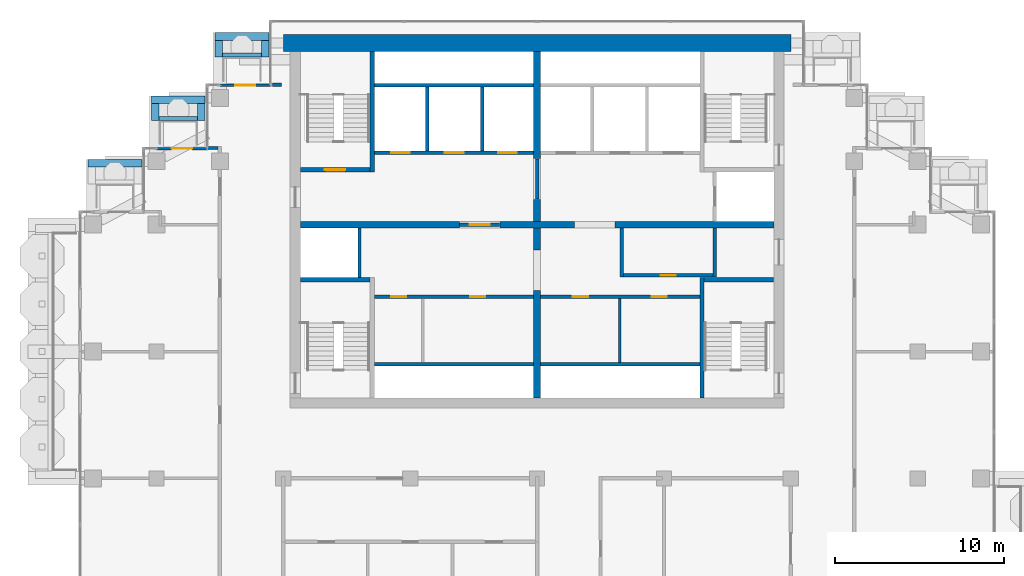
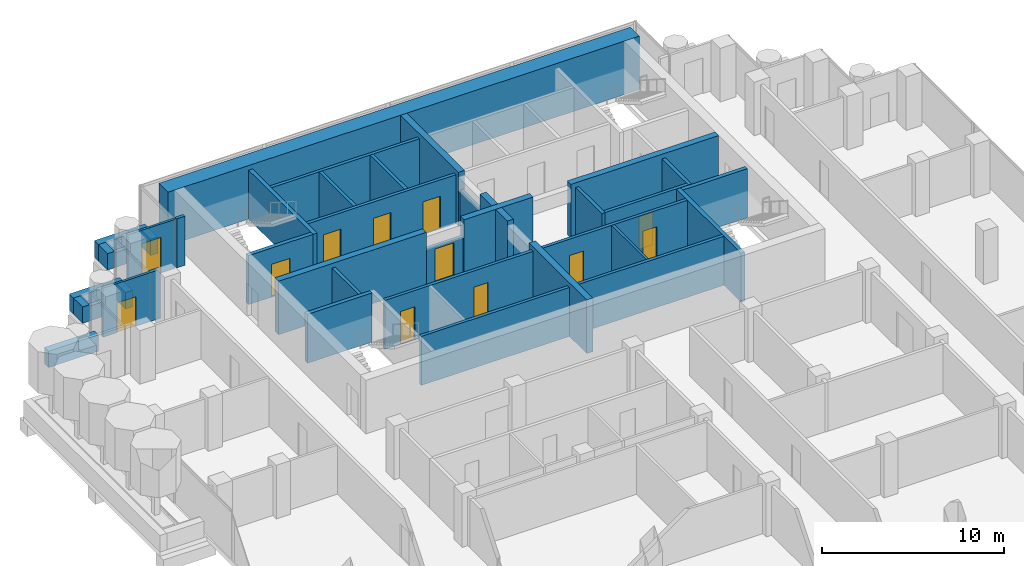
# One storey, part 13 of 18: 41 walls, 12 doors, 12 openings.
"""IFC4 building model written with IfcOpenShell, lengths in metres."""

import ifcopenshell
import ifcopenshell.guid

model = None  # the IFC model being written
_history = None  # IfcOwnerHistory: only IFC2X3 demands one
_inside = {}  # id of a spatial element -> (the spatial element, [elements in it])
_under = {}  # id of a project, library or spatial element -> (it, [spatial elements below it])
_declared = {}  # id of a project -> (the project, [libraries it declares])
_typed = {}  # id of a type object -> (the type object, [elements of that type])
_made_of = {}  # id of a material, layer set ... -> (it, [elements and type objects made of it])


def new_model(schema):
    """Start an empty IFC model of exactly this schema.

    Asked for "IFC4X3", IfcOpenShell would pick the latest addendum, in which some entities
    have other attributes; the version numbers below select the first issue.
    IFC2X3 requires an IfcOwnerHistory on every rooted entity: one is made here for all.
    """
    global model, _history
    if schema == "IFC4X3":
        model = ifcopenshell.file(schema_version=(4, 3, 0, 0))
    else:
        model = ifcopenshell.file(schema=schema)
    _inside.clear()
    _under.clear()
    _declared.clear()
    _typed.clear()
    _made_of.clear()
    _history = None
    if model.schema == "IFC2X3":
        org = make("IfcOrganization", Name="unknown")
        user = make(
            "IfcPersonAndOrganization",
            ThePerson=make("IfcPerson", FamilyName="unknown"),
            TheOrganization=org,
        )
        app = make(
            "IfcApplication",
            ApplicationDeveloper=org,
            Version="unknown",
            ApplicationFullName="unknown",
            ApplicationIdentifier="unknown",
        )
        _history = make(
            "IfcOwnerHistory",
            OwningUser=user,
            OwningApplication=app,
            ChangeAction="ADDED",
            CreationDate=0,
        )
    return model


def make(cls, **values):
    """One entity of the class cls with the attributes given. An attribute that is None is left unset."""
    return model.create_entity(
        cls, **{name: value for name, value in values.items() if value is not None}
    )


def rooted(cls, **values):
    """An entity with a GlobalId (a new one), such as an element, a storey or a relation."""
    return make(cls, GlobalId=ifcopenshell.guid.new(), OwnerHistory=_history, **values)


def si_unit(unit_type, name, prefix=None):
    """IfcSIUnit, for example si_unit("LENGTHUNIT", "METRE", prefix="MILLI")."""
    return make("IfcSIUnit", UnitType=unit_type, Prefix=prefix, Name=name)


def assignment(units):
    """IfcUnitAssignment: the units of a project."""
    return None if units is None else make("IfcUnitAssignment", Units=units)


def point(xyz):
    """IfcCartesianPoint."""
    return None if xyz is None else make("IfcCartesianPoint", Coordinates=xyz)


def direction(xyz):
    """IfcDirection."""
    return None if xyz is None else make("IfcDirection", DirectionRatios=xyz)


def frame(location, z_axis=None, x_axis=None):
    """IfcAxis2Placement3D, a coordinate frame: its origin and axes. An axis left out is left unset."""
    return make(
        "IfcAxis2Placement3D",
        Location=point(location),
        Axis=direction(z_axis),
        RefDirection=direction(x_axis),
    )


def frame_2d(location, x_axis=None):
    """IfcAxis2Placement2D, a coordinate frame in the plane: its origin and x axis."""
    return make(
        "IfcAxis2Placement2D", Location=point(location), RefDirection=direction(x_axis)
    )


def origin():
    """The frame at (0, 0, 0) with its axes left unset."""
    return frame((0.0, 0.0, 0.0))


def place(relative_to, where):
    """IfcLocalPlacement: puts the frame where relative to a parent placement (None: the world)."""
    return make(
        "IfcLocalPlacement", PlacementRelTo=relative_to, RelativePlacement=where
    )


def context(
    kind, dimensions, precision=None, world=None, true_north=None, identifier=None
):
    """IfcGeometricRepresentationContext, for example the 3D "Model" context."""
    return make(
        "IfcGeometricRepresentationContext",
        ContextIdentifier=identifier,
        ContextType=kind,
        CoordinateSpaceDimension=dimensions,
        Precision=precision,
        WorldCoordinateSystem=world,
        TrueNorth=true_north,
    )


def subcontext(parent, identifier, kind, view, scale=None):
    """IfcGeometricRepresentationSubContext, for example "Body" below "Model"."""
    return make(
        "IfcGeometricRepresentationSubContext",
        ContextIdentifier=identifier,
        ContextType=kind,
        ParentContext=parent,
        TargetScale=scale,
        TargetView=view,
    )


def project(units=None, contexts=None):
    """IfcProject with its units and contexts."""
    return rooted(
        "IfcProject",
        Name="project",
        RepresentationContexts=contexts,
        UnitsInContext=assignment(units),
    )


def spatial(cls, under=None, at=None, **own):
    """A site, building, storey or space (cls), placed at a placement, below another one or the project."""
    s = rooted(cls, ObjectPlacement=at, **own)
    if under is not None:
        _under.setdefault(under.id(), (under, []))[1].append(s)
    return s


def profile(cls, at=None, kind="AREA", **sizes):
    """A parametric profile (cls). Its sizes go by their IFC names, for example OverallWidth=200.0."""
    return make(cls, ProfileType=kind, Position=at, **sizes)


def rectangle(**sizes):
    """IfcRectangleProfileDef."""
    return profile("IfcRectangleProfileDef", **sizes)


def extrude(swept, where, along, depth):
    """IfcExtrudedAreaSolid: the profile swept, set in the frame where, extruded along a direction by depth."""
    return make(
        "IfcExtrudedAreaSolid",
        SweptArea=swept,
        Position=where,
        ExtrudedDirection=direction(along),
        Depth=depth,
    )


def shape(context_of_items, identifier, shape_type, items):
    """IfcShapeRepresentation: the items that make up one representation, for example the "Body"."""
    return make(
        "IfcShapeRepresentation",
        ContextOfItems=context_of_items,
        RepresentationIdentifier=identifier,
        RepresentationType=shape_type,
        Items=items,
    )


def material(Name=None, Category=None):
    """IfcMaterial."""
    return make("IfcMaterial", Name=Name, Category=Category)


def layer(
    of_material, thickness, ventilated=None, Name=None, Category=None, Priority=None
):
    """IfcMaterialLayer: one layer of a wall or slab, of a material (None: an air gap)."""
    return make(
        "IfcMaterialLayer",
        Material=of_material,
        LayerThickness=thickness,
        IsVentilated=ventilated,
        Name=Name,
        Category=Category,
        Priority=Priority,
    )


def layer_set(layers, Name=None):
    """IfcMaterialLayerSet."""
    return make("IfcMaterialLayerSet", MaterialLayers=layers, LayerSetName=Name)


def made_of(thing, what):
    """Note that an element or type object is made of a material, layer set ...; save() writes the relation."""
    if what is not None:
        _made_of.setdefault(what.id(), (what, []))[1].append(thing)
    return thing


def type_object(cls, material=None, **own):
    """A type object (cls), such as IfcWallType, which elements share."""
    return made_of(rooted(cls, **own), material)


def element(
    cls,
    number,
    at=None,
    inside=None,
    cuts=None,
    type_object=None,
    material=None,
    context=None,
    identifier="Body",
    shape_type=None,
    held_by="IfcProductDefinitionShape",
    body=None,
    shapes=None,
    **own,
):
    """One element of the class cls, such as IfcWall. Its Tag is "e" and its number.

    at: its placement. inside: the storey or other place that contains it. cuts: it is an
    opening in that element (IfcRelVoidsElement). A single representation is given by context,
    identifier, shape_type and body (its items); several are given by shapes. held_by: the class
    of the entity that holds the representations. save() writes the other relations.
    """
    e = rooted(cls, Tag="e%d" % number, ObjectPlacement=at, **own)
    if body is not None:
        shapes = [shape(context, identifier, shape_type, body)]
    if shapes is not None:
        e.Representation = make(held_by, Representations=shapes)
    if inside is not None:
        _inside.setdefault(inside.id(), (inside, []))[1].append(e)
    if cuts is not None:
        rooted(
            "IfcRelVoidsElement", RelatingBuildingElement=cuts, RelatedOpeningElement=e
        )
    if type_object is not None:
        _typed.setdefault(type_object.id(), (type_object, []))[1].append(e)
    return made_of(e, material)


def fill(opening, filler):
    """IfcRelFillsElement: the door or window that sits in an opening."""
    return rooted(
        "IfcRelFillsElement",
        RelatingOpeningElement=opening,
        RelatedBuildingElement=filler,
    )


def aggregate(whole, parts):
    """IfcRelAggregates: a whole, such as a stair, and the parts it consists of."""
    return rooted("IfcRelAggregates", RelatingObject=whole, RelatedObjects=parts)


def save(model, path):
    """Write the relations noted so far, then the file.

    IfcRelAggregates (storeys below a building ...), IfcRelContainedInSpatialStructure (elements
    in a storey), IfcRelDefinesByType, IfcRelAssociatesMaterial and IfcRelDeclares: one each for
    every whole, place, type object, material and project.
    """
    for whole, parts in _under.values():
        aggregate(whole, parts)
    for where, things in _inside.values():
        rooted(
            "IfcRelContainedInSpatialStructure",
            RelatedElements=things,
            RelatingStructure=where,
        )
    for kind, things in _typed.values():
        rooted("IfcRelDefinesByType", RelatedObjects=things, RelatingType=kind)
    for what, things in _made_of.values():
        rooted("IfcRelAssociatesMaterial", RelatedObjects=things, RelatingMaterial=what)
    for by, libraries in _declared.values():
        rooted("IfcRelDeclares", RelatingContext=by, RelatedDefinitions=libraries)
    model.write(path)


model = new_model("IFC4")

# Units and contexts
model_context = context("Model", 3, precision=1e-05, world=origin(), true_north=direction((0.0, 1.0)))
body_context = subcontext(model_context, "Body", "Model", "MODEL_VIEW")
ifc_project = project(units=[si_unit("LENGTHUNIT", "METRE"), si_unit("AREAUNIT", "SQUARE_METRE"), si_unit("VOLUMEUNIT", "CUBIC_METRE"), si_unit("PLANEANGLEUNIT", "RADIAN"), si_unit("MASSUNIT", "GRAM", prefix="KILO")], contexts=[model_context])

# Site, building, storey
site_placement = place(None, origin())
site = spatial("IfcSite", under=ifc_project, at=site_placement, CompositionType="ELEMENT")
building_placement = place(site_placement, origin())
building = spatial("IfcBuilding", under=site, at=building_placement, Name="Pilkhan Gate Tower", CompositionType="ELEMENT")
storey_placement = place(building_placement, frame((0.0, 0.0, 199.5)))
storey = spatial("IfcBuildingStorey", under=building, at=storey_placement, Name="L51", CompositionType="ELEMENT", Elevation=199.5)

# Walls
ifc_material_1 = material(Name="Concrete C40/50", Category="concrete")
ifc_layer_1 = layer(ifc_material_1, 0.25)
ifc_layer_set_1 = layer_set([ifc_layer_1], Name="Balcony planter BP250")
wall_type_1 = type_object("IfcWallType", Name="Balcony planter BP250", PredefinedType="USERDEFINED", material=ifc_layer_set_1)
wall_1_placement = place(storey_placement, frame((56.39990234375, 92.52490234375, 0.0), z_axis=(0.0, 0.0, 1.0), x_axis=(1.0, 0.0, 0.0)))
element("IfcWall", 1, at=wall_1_placement, inside=storey, type_object=wall_type_1, Name="Balcony planter L51 N", ObjectType="BALCONY PLANTER", PredefinedType="USERDEFINED", context=body_context, shape_type="SweptSolid", body=[
    extrude(rectangle(XDim=2.300048828125, YDim=0.25, at=frame_2d((1.14990234375, 0.0))), origin(), (0.0, 0.0, 1.0), 1.0),
])
wall_2_placement = place(storey_placement, frame((52.64990234375, 88.77490234375, 0.0), z_axis=(0.0, 0.0, 1.0), x_axis=(1.0, 0.0, 0.0)))
element("IfcWall", 2, at=wall_2_placement, inside=storey, type_object=wall_type_1, Name="Balcony planter L51 N", ObjectType="BALCONY PLANTER", PredefinedType="USERDEFINED", context=body_context, shape_type="SweptSolid", body=[
    extrude(rectangle(XDim=2.280029296875, YDim=0.25, at=frame_2d((1.14013671875, 0.0))), origin(), (0.0, 0.0, 1.0), 1.0),
])
ifc_material_2 = material(Name="Board-marked Concrete C40/50", Category="concrete")
ifc_layer_2 = layer(ifc_material_2, 0.449951171875)
ifc_layer_set_2 = layer_set([ifc_layer_2], Name="Balcony planter lip BL450")
wall_type_2 = type_object("IfcWallType", Name="Balcony planter lip BL450", PredefinedType="USERDEFINED", material=ifc_layer_set_2)
wall_3_placement = place(storey_placement, frame((55.949951171875, 93.625, 0.0), z_axis=(0.0, 0.0, 1.0), x_axis=(1.0, 0.0, 0.0)))
element("IfcWall", 3, at=wall_3_placement, inside=storey, type_object=wall_type_2, Name="Balcony planter L51 N", ObjectType="BALCONY PLANTER", PredefinedType="USERDEFINED", context=body_context, shape_type="SweptSolid", body=[
    extrude(rectangle(XDim=3.199951171875, YDim=0.449951171875, at=frame_2d((1.60009765625, 0.0))), origin(), (0.0, 0.0, 1.0), 1.10009765625),
])
for number, where, z_axis, x_axis, name in (
    (4, (56.175048828125, 92.39990234375, 0.0), (0.0, 0.0, 1.0), (0.0, 1.0, 0.0), "Balcony planter L51 N"),
    (5, (58.925048828125, 92.39990234375, 0.0), (0.0, 0.0, 1.0), (0.0, 1.0, 0.0), "Balcony planter L51 N"),
):
    element("IfcWall", number, at=place(storey_placement, frame(where, z_axis=z_axis, x_axis=x_axis)), inside=storey, type_object=wall_type_2, Name=name, ObjectType="BALCONY PLANTER", PredefinedType="USERDEFINED", context=body_context, shape_type="SweptSolid", body=[
        extrude(rectangle(XDim=1.0, YDim=0.449951171875, at=frame_2d((0.5, 0.0))), origin(), (0.0, 0.0, 1.0), 1.10009765625),
    ])
wall_4_placement = place(storey_placement, frame((52.199951171875, 89.875, 0.0), z_axis=(0.0, 0.0, 1.0), x_axis=(1.0, 0.0, 0.0)))
element("IfcWall", 6, at=wall_4_placement, inside=storey, type_object=wall_type_2, Name="Balcony planter L51 N", ObjectType="BALCONY PLANTER", PredefinedType="USERDEFINED", context=body_context, shape_type="SweptSolid", body=[
    extrude(rectangle(XDim=3.179931640625, YDim=0.449951171875, at=frame_2d((1.58984375, 0.0))), origin(), (0.0, 0.0, 1.0), 1.10009765625),
])
for number, where, z_axis, x_axis, name in (
    (7, (52.425048828125, 88.64990234375, 0.0), (0.0, 0.0, 1.0), (0.0, 1.0, 0.0), "Balcony planter L51 N"),
    (8, (55.155029296875, 88.64990234375, 0.0), (0.0, 0.0, 1.0), (0.0, 1.0, 0.0), "Balcony planter L51 N"),
):
    element("IfcWall", number, at=place(storey_placement, frame(where, z_axis=z_axis, x_axis=x_axis)), inside=storey, type_object=wall_type_2, Name=name, ObjectType="BALCONY PLANTER", PredefinedType="USERDEFINED", context=body_context, shape_type="SweptSolid", body=[
        extrude(rectangle(XDim=1.0, YDim=0.449951171875, at=frame_2d((0.5, 0.0))), origin(), (0.0, 0.0, 1.0), 1.10009765625),
    ])
wall_5_placement = place(storey_placement, frame((48.449951171875, 86.125, 0.0), z_axis=(0.0, 0.0, 1.0), x_axis=(1.0, 0.0, 0.0)))
element("IfcWall", 9, at=wall_5_placement, inside=storey, type_object=wall_type_2, Name="Balcony planter L51 N", ObjectType="BALCONY PLANTER", PredefinedType="USERDEFINED", context=body_context, shape_type="SweptSolid", body=[
    extrude(rectangle(XDim=3.179931640625, YDim=0.449951171875, at=frame_2d((1.58984375, 0.0))), origin(), (0.0, 0.0, 1.0), 1.10009765625),
])
ifc_material_3 = material(Name="Concrete C50/60", Category="concrete")
ifc_layer_3 = layer(ifc_material_3, 1.0)
ifc_layer_set_3 = layer_set([ifc_layer_3], Name="Core wall CW1000 C50/60")
wall_type_3 = type_object("IfcWallType", Name="Core wall CW1000 C50/60", PredefinedType="SHEAR", material=ifc_layer_set_3)
wall_6_placement = place(storey_placement, frame((90.0, 93.25, 0.0), z_axis=(0.0, 0.0, 1.0), x_axis=(-1.0, 0.0, 0.0)))
element("IfcWall", 10, at=wall_6_placement, inside=storey, type_object=wall_type_3, Name="Core wall N L51", PredefinedType="SHEAR", context=body_context, shape_type="SweptSolid", body=[
    extrude(rectangle(XDim=30.0, YDim=1.0, at=frame_2d((15.0, 0.0))), origin(), (0.0, 0.0, 1.0), 3.60009765625),
])
ifc_material_4 = material(Name="Dense blockwork", Category="masonry")
ifc_layer_4 = layer(ifc_material_4, 0.199951171875)
ifc_layer_set_4 = layer_set([ifc_layer_4], Name="Corridor wall FW200")
wall_type_4 = type_object("IfcWallType", Name="Corridor wall FW200", PredefinedType="PARTITIONING", material=ifc_layer_set_4)
wall_7_placement = place(storey_placement, frame((55.510009765625, 87.030029296875, 0.0), z_axis=(0.0, 0.0, 1.0), x_axis=(1.0, 0.0, 0.0)))
element("IfcWall", 11, at=wall_7_placement, inside=storey, type_object=wall_type_4, Name="Partition L51", PredefinedType="PARTITIONING", context=body_context, shape_type="SweptSolid", body=[
    extrude(rectangle(XDim=0.639892578125, YDim=0.199951171875, at=frame_2d((0.31982421875, 0.0))), origin(), (0.0, 0.0, 1.0), 3.300048828125),
])
wall_8_placement = place(storey_placement, frame((59.35498046875, 90.764892578125, 0.0), z_axis=(0.0, 0.0, 1.0), x_axis=(1.0, 0.0, 0.0)))
element("IfcWall", 12, at=wall_8_placement, inside=storey, type_object=wall_type_4, Name="Partition L51", PredefinedType="PARTITIONING", context=body_context, shape_type="SweptSolid", body=[
    extrude(rectangle(XDim=0.52490234375, YDim=0.199951171875, at=frame_2d((0.262451171875, 0.0))), origin(), (0.0, 0.0, 1.0), 3.300048828125),
])

# Wall, opening, door
ifc_material_5 = material(Name="Pale anodised aluminium, clear laminated glazing", Category="aluminium")
ifc_layer_5 = layer(ifc_material_5, 0.14990234375)
ifc_layer_set_5 = layer_set([ifc_layer_5], Name="Facade infill wall IW150")
wall_type_5 = type_object("IfcWallType", Name="Facade infill wall IW150", PredefinedType="SOLIDWALL", material=ifc_layer_set_5)
wall_9_placement = place(storey_placement, frame((56.25, 90.75, 0.0), z_axis=(0.0, 0.0, 1.0), x_axis=(1.0, 0.0, 0.0)))
wall_9 = element("IfcWall", 13, at=wall_9_placement, inside=storey, type_object=wall_type_5, Name="Infill wall L51 N", PredefinedType="SOLIDWALL", context=body_context, shape_type="SweptSolid", body=[
    extrude(rectangle(XDim=3.0, YDim=0.14990234375, at=frame_2d((1.5, 0.0))), origin(), (0.0, 0.0, 1.0), 3.300048828125),
])
opening_1_placement = place(wall_9_placement, frame((0.89990234375, 0.0, 0.0)))
opening_1 = element("IfcOpeningElement", 14, at=opening_1_placement, cuts=wall_9, Name="Opening D1", PredefinedType="OPENING", context=body_context, shape_type="SweptSolid", body=[
    extrude(rectangle(XDim=1.199951171875, YDim=2.39990234375, at=frame_2d((0.60009765625, 1.199951171875))), frame((0.0, 0.0849609375, 0.0), z_axis=(0.0, -1.0, 0.0), x_axis=(1.0, 0.0, 0.0)), (0.0, 0.0, 1.0), 0.169921875),
])
ifc_material_6 = material(Name="Pale anodised aluminium, clear glazing", Category="aluminium")
door_type_1 = type_object("IfcDoorType", Name="Balcony door D1 1200x2400", OperationType="SINGLE_SWING_LEFT", PredefinedType="DOOR", material=ifc_material_6)
door_1_placement = place(opening_1_placement, origin())
door_1 = element("IfcDoor", 15, at=door_1_placement, inside=storey, type_object=door_type_1, Name="Balcony door L51", OperationType="SINGLE_SWING_LEFT", OverallHeight=2.39990234375, OverallWidth=1.199951171875, PredefinedType="DOOR", context=body_context, shape_type="SweptSolid", body=[
    extrude(rectangle(XDim=1.199951171875, YDim=2.39990234375, at=frame_2d((0.60009765625, 1.199951171875))), frame((0.0, 0.02490234375, 0.0), z_axis=(0.0, -1.0, 0.0), x_axis=(1.0, 0.0, 0.0)), (0.0, 0.0, 1.0), 0.050048828125),
])
fill(opening_1, door_1)

wall_10_placement = place(storey_placement, frame((52.5, 87.0, 0.0), z_axis=(0.0, 0.0, 1.0), x_axis=(1.0, 0.0, 0.0)))
wall_10 = element("IfcWall", 16, at=wall_10_placement, inside=storey, type_object=wall_type_5, Name="Infill wall L51 N", PredefinedType="SOLIDWALL", context=body_context, shape_type="SweptSolid", body=[
    extrude(rectangle(XDim=3.0, YDim=0.14990234375, at=frame_2d((1.5, 0.0))), origin(), (0.0, 0.0, 1.0), 3.300048828125),
])
opening_2_placement = place(wall_10_placement, frame((0.89990234375, 0.0, 0.0)))
opening_2 = element("IfcOpeningElement", 17, at=opening_2_placement, cuts=wall_10, Name="Opening D1L", PredefinedType="OPENING", context=body_context, shape_type="SweptSolid", body=[
    extrude(rectangle(XDim=1.199951171875, YDim=2.0, at=frame_2d((0.60009765625, 1.0))), frame((0.0, 0.0849609375, 0.0), z_axis=(0.0, -1.0, 0.0), x_axis=(1.0, 0.0, 0.0)), (0.0, 0.0, 1.0), 0.169921875),
])
door_type_2 = type_object("IfcDoorType", Name="Balcony door D1L 1200x2000", OperationType="SINGLE_SWING_LEFT", PredefinedType="DOOR", material=ifc_material_6)
door_2_placement = place(opening_2_placement, origin())
door_2 = element("IfcDoor", 18, at=door_2_placement, inside=storey, type_object=door_type_2, Name="Balcony door L51", OperationType="SINGLE_SWING_LEFT", OverallHeight=2.0, OverallWidth=1.199951171875, PredefinedType="DOOR", context=body_context, shape_type="SweptSolid", body=[
    extrude(rectangle(XDim=1.199951171875, YDim=2.0, at=frame_2d((0.60009765625, 1.0))), frame((0.0, 0.02490234375, 0.0), z_axis=(0.0, -1.0, 0.0), x_axis=(1.0, 0.0, 0.0)), (0.0, 0.0, 1.0), 0.050048828125),
])
fill(opening_2, door_2)

# Walls
ifc_layer_6 = layer(ifc_material_4, 0.199951171875)
ifc_layer_set_6 = layer_set([ifc_layer_6], Name="Lobby wall LW200")
wall_type_6 = type_object("IfcWallType", Name="Lobby wall LW200", PredefinedType="PARTITIONING", material=ifc_layer_set_6)
for number, where, z_axis, x_axis, name in (
    (19, (65.375, 74.25, 0.0), (0.0, 0.0, 1.0), (1.0, 0.0, 0.0), "Partition L51"),
    (20, (75.2099609375, 74.25, 0.0), (0.0, 0.0, 1.0), (1.0, 0.0, 0.0), "Partition L51"),
):
    element("IfcWall", number, at=place(storey_placement, frame(where, z_axis=z_axis, x_axis=x_axis)), inside=storey, type_object=wall_type_6, Name=name, PredefinedType="PARTITIONING", context=body_context, shape_type="SweptSolid", body=[
        extrude(rectangle(XDim=9.4150390625, YDim=0.199951171875, at=frame_2d((4.70751953125, 0.0))), origin(), (0.0, 0.0, 1.0), 3.300048828125),
    ])

# Wall, openings, doors
wall_11_placement = place(storey_placement, frame((65.375, 78.25, 0.0), z_axis=(0.0, 0.0, 1.0), x_axis=(1.0, 0.0, 0.0)))
wall_11 = element("IfcWall", 21, at=wall_11_placement, inside=storey, type_object=wall_type_6, Name="Partition L51", PredefinedType="PARTITIONING", context=body_context, shape_type="SweptSolid", body=[
    extrude(rectangle(XDim=9.4150390625, YDim=0.199951171875, at=frame_2d((4.70751953125, 0.0))), origin(), (0.0, 0.0, 1.0), 3.300048828125),
])
opening_3_placement = place(wall_11_placement, frame((1.0, 0.0, 0.0)))
opening_3 = element("IfcOpeningElement", 22, at=opening_3_placement, cuts=wall_11, Name="Opening L51-09", PredefinedType="OPENING", context=body_context, shape_type="SweptSolid", body=[
    extrude(rectangle(XDim=0.89990234375, YDim=2.199951171875, at=frame_2d((0.449951171875, 1.10009765625))), frame((0.0, 0.10986328125, 0.0), z_axis=(0.0, -1.0, 0.0), x_axis=(1.0, 0.0, 0.0)), (0.0, 0.0, 1.0), 0.219970703125),
])
opening_4_placement = place(wall_11_placement, frame((5.6650390625, 0.0, 0.0)))
opening_4 = element("IfcOpeningElement", 23, at=opening_4_placement, cuts=wall_11, Name="Opening L51-10", PredefinedType="OPENING", context=body_context, shape_type="SweptSolid", body=[
    extrude(rectangle(XDim=0.89990234375, YDim=2.199951171875, at=frame_2d((0.449951171875, 1.10009765625))), frame((0.0, 0.10986328125, 0.0), z_axis=(0.0, -1.0, 0.0), x_axis=(1.0, 0.0, 0.0)), (0.0, 0.0, 1.0), 0.219970703125),
])
ifc_material_7 = material(Name="Timber flush door, 60 minute fire resisting, self-closing", Category="wood")
door_type_3 = type_object("IfcDoorType", Name="Store door D05 900x2200", OperationType="SINGLE_SWING_LEFT", PredefinedType="DOOR", material=ifc_material_7)
door_3_placement = place(opening_3_placement, origin())
door_3 = element("IfcDoor", 24, at=door_3_placement, inside=storey, type_object=door_type_3, Name="Store door", OperationType="SINGLE_SWING_LEFT", OverallHeight=2.199951171875, OverallWidth=0.89990234375, PredefinedType="DOOR", context=body_context, shape_type="SweptSolid", body=[
    extrude(rectangle(XDim=0.89990234375, YDim=2.199951171875, at=frame_2d((0.449951171875, 1.10009765625))), frame((0.0, 0.02490234375, 0.0), z_axis=(0.0, -1.0, 0.0), x_axis=(1.0, 0.0, 0.0)), (0.0, 0.0, 1.0), 0.050048828125),
])
fill(opening_3, door_3)
door_4_placement = place(opening_4_placement, origin())
door_4 = element("IfcDoor", 25, at=door_4_placement, inside=storey, type_object=door_type_3, Name="Store door", OperationType="SINGLE_SWING_LEFT", OverallHeight=2.199951171875, OverallWidth=0.89990234375, PredefinedType="DOOR", context=body_context, shape_type="SweptSolid", body=[
    extrude(rectangle(XDim=0.89990234375, YDim=2.199951171875, at=frame_2d((0.449951171875, 1.10009765625))), frame((0.0, 0.02490234375, 0.0), z_axis=(0.0, -1.0, 0.0), x_axis=(1.0, 0.0, 0.0)), (0.0, 0.0, 1.0), 0.050048828125),
])
fill(opening_4, door_4)

wall_12_placement = place(storey_placement, frame((75.2099609375, 78.25, 0.0), z_axis=(0.0, 0.0, 1.0), x_axis=(1.0, 0.0, 0.0)))
wall_12 = element("IfcWall", 26, at=wall_12_placement, inside=storey, type_object=wall_type_6, Name="Partition L51", PredefinedType="PARTITIONING", context=body_context, shape_type="SweptSolid", body=[
    extrude(rectangle(XDim=9.4150390625, YDim=0.199951171875, at=frame_2d((4.70751953125, 0.0))), origin(), (0.0, 0.0, 1.0), 3.300048828125),
])
opening_5_placement = place(wall_12_placement, frame((1.89990234375, 0.0, 0.0)))
opening_5 = element("IfcOpeningElement", 27, at=opening_5_placement, cuts=wall_12, Name="Opening L51-11", PredefinedType="OPENING", context=body_context, shape_type="SweptSolid", body=[
    extrude(rectangle(XDim=0.89990234375, YDim=2.199951171875, at=frame_2d((0.449951171875, 1.10009765625))), frame((0.0, 0.10986328125, 0.0), z_axis=(0.0, -1.0, 0.0), x_axis=(1.0, 0.0, 0.0)), (0.0, 0.0, 1.0), 0.219970703125),
])
opening_6_placement = place(wall_12_placement, frame((6.56494140625, 0.0, 0.0)))
opening_6 = element("IfcOpeningElement", 28, at=opening_6_placement, cuts=wall_12, Name="Opening L51-12", PredefinedType="OPENING", context=body_context, shape_type="SweptSolid", body=[
    extrude(rectangle(XDim=0.89990234375, YDim=2.199951171875, at=frame_2d((0.449951171875, 1.10009765625))), frame((0.0, 0.10986328125, 0.0), z_axis=(0.0, -1.0, 0.0), x_axis=(1.0, 0.0, 0.0)), (0.0, 0.0, 1.0), 0.219970703125),
])
door_5_placement = place(opening_5_placement, origin())
door_5 = element("IfcDoor", 29, at=door_5_placement, inside=storey, type_object=door_type_3, Name="Store door", OperationType="SINGLE_SWING_RIGHT", OverallHeight=2.199951171875, OverallWidth=0.89990234375, PredefinedType="DOOR", context=body_context, shape_type="SweptSolid", body=[
    extrude(rectangle(XDim=0.89990234375, YDim=2.199951171875, at=frame_2d((0.449951171875, 1.10009765625))), frame((0.0, 0.02490234375, 0.0), z_axis=(0.0, -1.0, 0.0), x_axis=(1.0, 0.0, 0.0)), (0.0, 0.0, 1.0), 0.050048828125),
])
fill(opening_5, door_5)
door_6_placement = place(opening_6_placement, origin())
door_6 = element("IfcDoor", 30, at=door_6_placement, inside=storey, type_object=door_type_3, Name="Store door", OperationType="SINGLE_SWING_LEFT", OverallHeight=2.199951171875, OverallWidth=0.89990234375, PredefinedType="DOOR", context=body_context, shape_type="SweptSolid", body=[
    extrude(rectangle(XDim=0.89990234375, YDim=2.199951171875, at=frame_2d((0.449951171875, 1.10009765625))), frame((0.0, 0.02490234375, 0.0), z_axis=(0.0, -1.0, 0.0), x_axis=(1.0, 0.0, 0.0)), (0.0, 0.0, 1.0), 0.050048828125),
])
fill(opening_6, door_6)

# Wall, opening, door
wall_13_placement = place(storey_placement, frame((80.10009765625, 79.5, 0.0), z_axis=(0.0, 0.0, 1.0), x_axis=(1.0, 0.0, 0.0)))
wall_13 = element("IfcWall", 31, at=wall_13_placement, inside=storey, type_object=wall_type_6, Name="Partition L51", PredefinedType="PARTITIONING", context=body_context, shape_type="SweptSolid", body=[
    extrude(rectangle(XDim=5.2998046875, YDim=0.199951171875, at=frame_2d((2.64990234375, 0.0))), origin(), (0.0, 0.0, 1.0), 3.300048828125),
])
opening_7_placement = place(wall_13_placement, frame((2.199951171875, 0.0, 0.0)))
opening_7 = element("IfcOpeningElement", 32, at=opening_7_placement, cuts=wall_13, Name="Opening L51-07", PredefinedType="OPENING", context=body_context, shape_type="SweptSolid", body=[
    extrude(rectangle(XDim=0.89990234375, YDim=2.199951171875, at=frame_2d((0.449951171875, 1.10009765625))), frame((0.0, 0.10986328125, 0.0), z_axis=(0.0, -1.0, 0.0), x_axis=(1.0, 0.0, 0.0)), (0.0, 0.0, 1.0), 0.219970703125),
])
door_7_placement = place(opening_7_placement, origin())
door_7 = element("IfcDoor", 33, at=door_7_placement, inside=storey, type_object=door_type_3, Name="Store door", OperationType="SINGLE_SWING_LEFT", OverallHeight=2.199951171875, OverallWidth=0.89990234375, PredefinedType="DOOR", context=body_context, shape_type="SweptSolid", body=[
    extrude(rectangle(XDim=0.89990234375, YDim=2.199951171875, at=frame_2d((0.449951171875, 1.10009765625))), frame((0.0, 0.02490234375, 0.0), z_axis=(0.0, -1.0, 0.0), x_axis=(1.0, 0.0, 0.0)), (0.0, 0.0, 1.0), 0.050048828125),
])
fill(opening_7, door_7)

wall_14_placement = place(storey_placement, frame((70.409912109375, 82.5, 0.0), z_axis=(0.0, 0.0, 1.0), x_axis=(1.0, 0.0, 0.0)))
wall_14 = element("IfcWall", 34, at=wall_14_placement, inside=storey, type_object=wall_type_6, Name="Partition L51", PredefinedType="PARTITIONING", context=body_context, shape_type="SweptSolid", body=[
    extrude(rectangle(XDim=2.380126953125, YDim=0.199951171875, at=frame_2d((1.18994140625, 0.0))), origin(), (0.0, 0.0, 1.0), 2.39990234375),
])
opening_8_placement = place(wall_14_placement, frame((0.60009765625, 0.0, 0.0)))
opening_8 = element("IfcOpeningElement", 35, at=opening_8_placement, cuts=wall_14, Name="Opening L51-01", PredefinedType="OPENING", context=body_context, shape_type="SweptSolid", body=[
    extrude(rectangle(XDim=1.199951171875, YDim=2.199951171875, at=frame_2d((0.60009765625, 1.10009765625))), frame((0.0, 0.10986328125, 0.0), z_axis=(0.0, -1.0, 0.0), x_axis=(1.0, 0.0, 0.0)), (0.0, 0.0, 1.0), 0.219970703125),
])
ifc_material_8 = material(Name="Steel door, 120 minute fire resisting, self-closing", Category="steel")
door_type_4 = type_object("IfcDoorType", Name="Firefighting lobby door D10 1200x2200", OperationType="SINGLE_SWING_LEFT", PredefinedType="DOOR", material=ifc_material_8)
door_8_placement = place(opening_8_placement, origin())
door_8 = element("IfcDoor", 36, at=door_8_placement, inside=storey, type_object=door_type_4, Name="Firefighting lobby door", OperationType="SINGLE_SWING_LEFT", OverallHeight=2.199951171875, OverallWidth=1.199951171875, PredefinedType="DOOR", context=body_context, shape_type="SweptSolid", body=[
    extrude(rectangle(XDim=1.199951171875, YDim=2.199951171875, at=frame_2d((0.60009765625, 1.10009765625))), frame((0.0, 0.02490234375, 0.0), z_axis=(0.0, -1.0, 0.0), x_axis=(1.0, 0.0, 0.0)), (0.0, 0.0, 1.0), 0.050048828125),
])
fill(opening_8, door_8)

# Walls
wall_15_placement = place(storey_placement, frame((75.0, 84.010009765625, 0.0), z_axis=(0.0, 0.0, 1.0), x_axis=(0.0, 1.0, 0.0)))
element("IfcWall", 37, at=wall_15_placement, inside=storey, type_object=wall_type_6, Name="Partition L51", PredefinedType="PARTITIONING", context=body_context, shape_type="SweptSolid", body=[
    extrude(rectangle(XDim=2.3798828125, YDim=0.199951171875, at=frame_2d((1.18994140625, 0.0))), origin(), (0.0, 0.0, 1.0), 2.39990234375),
])
for number, where, z_axis, x_axis, name in (
    (38, (80.0, 79.39990234375, 0.0), (0.0, 0.0, 1.0), (0.0, 1.0, 0.0), "Partition L51"),
    (39, (85.5, 79.39990234375, 0.0), (0.0, 0.0, 1.0), (0.0, 1.0, 0.0), "Partition L51"),
):
    element("IfcWall", number, at=place(storey_placement, frame(where, z_axis=z_axis, x_axis=x_axis)), inside=storey, type_object=wall_type_6, Name=name, PredefinedType="PARTITIONING", context=body_context, shape_type="SweptSolid", body=[
        extrude(rectangle(XDim=2.89013671875, YDim=0.199951171875, at=frame_2d((1.445068359375, 0.0))), origin(), (0.0, 0.0, 1.0), 3.300048828125),
    ])
ifc_material_9 = material(Name="Blockwork partition, plastered both sides", Category="masonry")
ifc_layer_7 = layer(ifc_material_9, 0.14990234375)
ifc_layer_set_7 = layer_set([ifc_layer_7], Name="Partition PW150")
wall_type_7 = type_object("IfcWallType", Name="Partition PW150", PredefinedType="PARTITIONING", material=ifc_layer_set_7)
wall_16_placement = place(storey_placement, frame((79.875, 74.35009765625, 0.0), z_axis=(0.0, 0.0, 1.0), x_axis=(0.0, 1.0, 0.0)))
element("IfcWall", 40, at=wall_16_placement, inside=storey, type_object=wall_type_7, Name="Partition L51", PredefinedType="PARTITIONING", context=body_context, shape_type="SweptSolid", body=[
    extrude(rectangle(XDim=3.7998046875, YDim=0.14990234375, at=frame_2d((1.89990234375, 0.0))), origin(), (0.0, 0.0, 1.0), 3.300048828125),
])

# Wall, openings, doors
ifc_material_10 = material(Name="Reinforced blockwork shaft wall, 120 minute fire resisting", Category="masonry")
ifc_layer_8 = layer(ifc_material_10, 0.199951171875)
ifc_layer_set_8 = layer_set([ifc_layer_8], Name="Shaft wall SW200")
wall_type_8 = type_object("IfcWallType", Name="Shaft wall SW200", PredefinedType="PARTITIONING", material=ifc_layer_set_8)
wall_17_placement = place(storey_placement, frame((65.375, 86.75, 0.0), z_axis=(0.0, 0.0, 1.0), x_axis=(1.0, 0.0, 0.0)))
wall_17 = element("IfcWall", 41, at=wall_17_placement, inside=storey, type_object=wall_type_8, Name="Partition L51", PredefinedType="PARTITIONING", context=body_context, shape_type="SweptSolid", body=[
    extrude(rectangle(XDim=9.4150390625, YDim=0.199951171875, at=frame_2d((4.70751953125, 0.0))), origin(), (0.0, 0.0, 1.0), 3.300048828125),
])
opening_9_placement = place(wall_17_placement, frame((1.0, 0.0, 0.0)))
opening_9 = element("IfcOpeningElement", 42, at=opening_9_placement, cuts=wall_17, Name="Opening LD", PredefinedType="OPENING", context=body_context, shape_type="SweptSolid", body=[
    extrude(rectangle(XDim=1.10009765625, YDim=2.199951171875, at=frame_2d((0.550048828125, 1.10009765625))), frame((0.0, 0.10986328125, 0.0), z_axis=(0.0, -1.0, 0.0), x_axis=(1.0, 0.0, 0.0)), (0.0, 0.0, 1.0), 0.219970703125),
])
opening_10_placement = place(wall_17_placement, frame((4.175048828125, 0.0, 0.0)))
opening_10 = element("IfcOpeningElement", 43, at=opening_10_placement, cuts=wall_17, Name="Opening LD", PredefinedType="OPENING", context=body_context, shape_type="SweptSolid", body=[
    extrude(rectangle(XDim=1.10009765625, YDim=2.199951171875, at=frame_2d((0.550048828125, 1.10009765625))), frame((0.0, 0.10986328125, 0.0), z_axis=(0.0, -1.0, 0.0), x_axis=(1.0, 0.0, 0.0)), (0.0, 0.0, 1.0), 0.219970703125),
])
opening_11_placement = place(wall_17_placement, frame((7.324951171875, 0.0, 0.0)))
opening_11 = element("IfcOpeningElement", 44, at=opening_11_placement, cuts=wall_17, Name="Opening LD", PredefinedType="OPENING", context=body_context, shape_type="SweptSolid", body=[
    extrude(rectangle(XDim=1.10009765625, YDim=2.199951171875, at=frame_2d((0.550048828125, 1.10009765625))), frame((0.0, 0.10986328125, 0.0), z_axis=(0.0, -1.0, 0.0), x_axis=(1.0, 0.0, 0.0)), (0.0, 0.0, 1.0), 0.219970703125),
])
ifc_material_11 = material(Name="Stainless steel centre-opening landing door, 120 minute fire resisting", Category="steel")
door_type_5 = type_object("IfcDoorType", Name="Lift landing door LD 1100x2200", OperationType="DOUBLE_DOOR_SLIDING", PredefinedType="DOOR", material=ifc_material_11)
door_9_placement = place(opening_9_placement, origin())
door_9 = element("IfcDoor", 45, at=door_9_placement, inside=storey, type_object=door_type_5, Name="Landing door FF1", OperationType="DOUBLE_DOOR_SLIDING", OverallHeight=2.199951171875, OverallWidth=1.10009765625, PredefinedType="DOOR", context=body_context, shape_type="SweptSolid", body=[
    extrude(rectangle(XDim=1.10009765625, YDim=2.199951171875, at=frame_2d((0.550048828125, 1.10009765625))), frame((0.0, 0.02490234375, 0.0), z_axis=(0.0, -1.0, 0.0), x_axis=(1.0, 0.0, 0.0)), (0.0, 0.0, 1.0), 0.050048828125),
])
fill(opening_9, door_9)
door_10_placement = place(opening_10_placement, origin())
door_10 = element("IfcDoor", 46, at=door_10_placement, inside=storey, type_object=door_type_5, Name="Landing door FF2", OperationType="DOUBLE_DOOR_SLIDING", OverallHeight=2.199951171875, OverallWidth=1.10009765625, PredefinedType="DOOR", context=body_context, shape_type="SweptSolid", body=[
    extrude(rectangle(XDim=1.10009765625, YDim=2.199951171875, at=frame_2d((0.550048828125, 1.10009765625))), frame((0.0, 0.02490234375, 0.0), z_axis=(0.0, -1.0, 0.0), x_axis=(1.0, 0.0, 0.0)), (0.0, 0.0, 1.0), 0.050048828125),
])
fill(opening_10, door_10)
door_11_placement = place(opening_11_placement, origin())
door_11 = element("IfcDoor", 47, at=door_11_placement, inside=storey, type_object=door_type_5, Name="Landing door SV1", OperationType="DOUBLE_DOOR_SLIDING", OverallHeight=2.199951171875, OverallWidth=1.10009765625, PredefinedType="DOOR", context=body_context, shape_type="SweptSolid", body=[
    extrude(rectangle(XDim=1.10009765625, YDim=2.199951171875, at=frame_2d((0.550048828125, 1.10009765625))), frame((0.0, 0.02490234375, 0.0), z_axis=(0.0, -1.0, 0.0), x_axis=(1.0, 0.0, 0.0)), (0.0, 0.0, 1.0), 0.050048828125),
])
fill(opening_11, door_11)

# Walls
wall_18_placement = place(storey_placement, frame((65.375, 90.75, 0.0), z_axis=(0.0, 0.0, 1.0), x_axis=(1.0, 0.0, 0.0)))
element("IfcWall", 48, at=wall_18_placement, inside=storey, type_object=wall_type_8, Name="Partition L51", PredefinedType="PARTITIONING", context=body_context, shape_type="SweptSolid", body=[
    extrude(rectangle(XDim=9.4150390625, YDim=0.199951171875, at=frame_2d((4.70751953125, 0.0))), origin(), (0.0, 0.0, 1.0), 3.300048828125),
])
wall_19_placement = place(storey_placement, frame((64.5, 79.375, 0.0), z_axis=(0.0, 0.0, 1.0), x_axis=(0.0, 1.0, 0.0)))
element("IfcWall", 49, at=wall_19_placement, inside=storey, type_object=wall_type_8, Name="Partition L51", PredefinedType="PARTITIONING", context=body_context, shape_type="SweptSolid", body=[
    extrude(rectangle(XDim=2.9150390625, YDim=0.199951171875, at=frame_2d((1.45751953125, 0.0))), origin(), (0.0, 0.0, 1.0), 3.300048828125),
])
for number, where, z_axis, x_axis, name in (
    (50, (68.5, 86.85009765625, 0.0), (0.0, 0.0, 1.0), (0.0, 1.0, 0.0), "Partition L51"),
    (51, (71.75, 86.85009765625, 0.0), (0.0, 0.0, 1.0), (0.0, 1.0, 0.0), "Partition L51"),
):
    element("IfcWall", number, at=place(storey_placement, frame(where, z_axis=z_axis, x_axis=x_axis)), inside=storey, type_object=wall_type_8, Name=name, PredefinedType="PARTITIONING", context=body_context, shape_type="SweptSolid", body=[
        extrude(rectangle(XDim=3.7998046875, YDim=0.199951171875, at=frame_2d((1.89990234375, 0.0))), origin(), (0.0, 0.0, 1.0), 3.300048828125),
    ])
ifc_layer_9 = layer(ifc_material_3, 0.39990234375)
ifc_layer_set_9 = layer_set([ifc_layer_9], Name="Spine wall SW400 C50/60")
wall_type_9 = type_object("IfcWallType", Name="Spine wall SW400 C50/60", PredefinedType="SHEAR", material=ifc_layer_set_9)
wall_20_placement = place(storey_placement, frame((61.0, 82.5, 0.0), z_axis=(0.0, 0.0, 1.0), x_axis=(1.0, 0.0, 0.0)))
element("IfcWall", 52, at=wall_20_placement, inside=storey, type_object=wall_type_9, Name="Spine wall SP-EW1 L51", PredefinedType="SHEAR", context=body_context, shape_type="SweptSolid", body=[
    extrude(rectangle(XDim=9.39990234375, YDim=0.39990234375, at=frame_2d((4.699951171875, 0.0))), origin(), (0.0, 0.0, 1.0), 3.60009765625),
])
wall_21_placement = place(storey_placement, frame((72.800048828125, 82.5, 0.0), z_axis=(0.0, 0.0, 1.0), x_axis=(1.0, 0.0, 0.0)))
element("IfcWall", 53, at=wall_21_placement, inside=storey, type_object=wall_type_9, Name="Spine wall SP-EW2 L51", PredefinedType="SHEAR", context=body_context, shape_type="SweptSolid", body=[
    extrude(rectangle(XDim=4.39990234375, YDim=0.39990234375, at=frame_2d((2.199951171875, 0.0))), origin(), (0.0, 0.0, 1.0), 3.60009765625),
])
wall_22_placement = place(storey_placement, frame((79.60009765625, 82.5, 0.0), z_axis=(0.0, 0.0, 1.0), x_axis=(1.0, 0.0, 0.0)))
element("IfcWall", 54, at=wall_22_placement, inside=storey, type_object=wall_type_9, Name="Spine wall SP-EW3 L51", PredefinedType="SHEAR", context=body_context, shape_type="SweptSolid", body=[
    extrude(rectangle(XDim=9.39990234375, YDim=0.39990234375, at=frame_2d((4.699951171875, 0.0))), origin(), (0.0, 0.0, 1.0), 3.60009765625),
])
wall_23_placement = place(storey_placement, frame((75.0, 72.25, 0.0), z_axis=(0.0, 0.0, 1.0), x_axis=(0.0, 1.0, 0.0)))
element("IfcWall", 55, at=wall_23_placement, inside=storey, type_object=wall_type_9, Name="Spine wall SP-NS-S1 L51", PredefinedType="SHEAR", context=body_context, shape_type="SweptSolid", body=[
    extrude(rectangle(XDim=6.35009765625, YDim=0.39990234375, at=frame_2d((3.175048828125, 0.0))), origin(), (0.0, 0.0, 1.0), 3.60009765625),
])
for number, where, z_axis, x_axis, name in (
    (56, (75.0, 81.0, 0.0), (0.0, 0.0, 1.0), (0.0, 1.0, 0.0), "Spine wall SP-NS-S2 L51"),
    (57, (75.0, 82.699951171875, 0.0), (0.0, 0.0, 1.0), (0.0, 1.0, 0.0), "Spine wall SP-NS-N1 L51"),
):
    element("IfcWall", number, at=place(storey_placement, frame(where, z_axis=z_axis, x_axis=x_axis)), inside=storey, type_object=wall_type_9, Name=name, PredefinedType="SHEAR", context=body_context, shape_type="SweptSolid", body=[
        extrude(rectangle(XDim=1.300048828125, YDim=0.39990234375, at=frame_2d((0.64990234375, 0.0))), origin(), (0.0, 0.0, 1.0), 3.60009765625),
    ])
wall_24_placement = place(storey_placement, frame((75.0, 86.39990234375, 0.0), z_axis=(0.0, 0.0, 1.0), x_axis=(0.0, 1.0, 0.0)))
element("IfcWall", 58, at=wall_24_placement, inside=storey, type_object=wall_type_9, Name="Spine wall SP-NS-N2 L51", PredefinedType="SHEAR", context=body_context, shape_type="SweptSolid", body=[
    extrude(rectangle(XDim=6.35009765625, YDim=0.39990234375, at=frame_2d((3.175048828125, 0.0))), origin(), (0.0, 0.0, 1.0), 3.60009765625),
])
ifc_material_12 = material(Name="Reinforced blockwork, 120 minute fire resisting", Category="masonry")
ifc_layer_10 = layer(ifc_material_12, 0.25)
ifc_layer_set_10 = layer_set([ifc_layer_10], Name="Stair enclosure wall SE250")
wall_type_10 = type_object("IfcWallType", Name="Stair enclosure wall SE250", PredefinedType="PARTITIONING", material=ifc_layer_set_10)
for number, where, z_axis, x_axis, name in (
    (59, (61.010009765625, 79.25, 0.0), (0.0, 0.0, 1.0), (1.0, 0.0, 0.0), "Partition L51"),
    (60, (84.875, 79.25, 0.0), (0.0, 0.0, 1.0), (1.0, 0.0, 0.0), "Partition L51"),
):
    element("IfcWall", number, at=place(storey_placement, frame(where, z_axis=z_axis, x_axis=x_axis)), inside=storey, type_object=wall_type_10, Name=name, PredefinedType="PARTITIONING", context=body_context, shape_type="SweptSolid", body=[
        extrude(rectangle(XDim=4.114990234375, YDim=0.25, at=frame_2d((2.0576171875, 0.0))), origin(), (0.0, 0.0, 1.0), 3.300048828125),
    ])

# Wall, opening, door
wall_25_placement = place(storey_placement, frame((61.010009765625, 85.75, 0.0), z_axis=(0.0, 0.0, 1.0), x_axis=(1.0, 0.0, 0.0)))
wall_25 = element("IfcWall", 61, at=wall_25_placement, inside=storey, type_object=wall_type_10, Name="Partition L51", PredefinedType="PARTITIONING", context=body_context, shape_type="SweptSolid", body=[
    extrude(rectangle(XDim=4.114990234375, YDim=0.25, at=frame_2d((2.0576171875, 0.0))), origin(), (0.0, 0.0, 1.0), 3.300048828125),
])
opening_12_placement = place(wall_25_placement, frame((1.449951171875, 0.0, 0.0)))
opening_12 = element("IfcOpeningElement", 62, at=opening_12_placement, cuts=wall_25, Name="Opening L51-02", PredefinedType="OPENING", context=body_context, shape_type="SweptSolid", body=[
    extrude(rectangle(XDim=1.199951171875, YDim=2.199951171875, at=frame_2d((0.60009765625, 1.10009765625))), frame((0.0, 0.135009765625, 0.0), z_axis=(0.0, -1.0, 0.0), x_axis=(1.0, 0.0, 0.0)), (0.0, 0.0, 1.0), 0.27001953125),
])
ifc_material_13 = material(Name="Steel door, 120 minute fire resisting, panic bar", Category="steel")
door_type_6 = type_object("IfcDoorType", Name="Stair door D11 1200x2200", OperationType="SINGLE_SWING_LEFT", PredefinedType="DOOR", material=ifc_material_13)
door_12_placement = place(opening_12_placement, origin())
door_12 = element("IfcDoor", 63, at=door_12_placement, inside=storey, type_object=door_type_6, Name="Stair ST3 lobby door", OperationType="SINGLE_SWING_LEFT", OverallHeight=2.199951171875, OverallWidth=1.199951171875, PredefinedType="DOOR", context=body_context, shape_type="SweptSolid", body=[
    extrude(rectangle(XDim=1.199951171875, YDim=2.199951171875, at=frame_2d((0.60009765625, 1.10009765625))), frame((0.0, 0.02490234375, 0.0), z_axis=(0.0, -1.0, 0.0), x_axis=(1.0, 0.0, 0.0)), (0.0, 0.0, 1.0), 0.050048828125),
])
fill(opening_12, door_12)

# Walls
for number, where, z_axis, x_axis, name in (
    (64, (65.25, 85.625, 0.0), (0.0, 0.0, 1.0), (0.0, 1.0, 0.0), "Partition L51"),
    (65, (84.75, 72.260009765625, 0.0), (0.0, 0.0, 1.0), (0.0, 1.0, 0.0), "Partition L51"),
):
    element("IfcWall", number, at=place(storey_placement, frame(where, z_axis=z_axis, x_axis=x_axis)), inside=storey, type_object=wall_type_10, Name=name, PredefinedType="PARTITIONING", context=body_context, shape_type="SweptSolid", body=[
        extrude(rectangle(XDim=7.114990234375, YDim=0.25, at=frame_2d((3.5576171875, 0.0))), origin(), (0.0, 0.0, 1.0), 3.300048828125),
    ])

save(model, "model.ifc")
